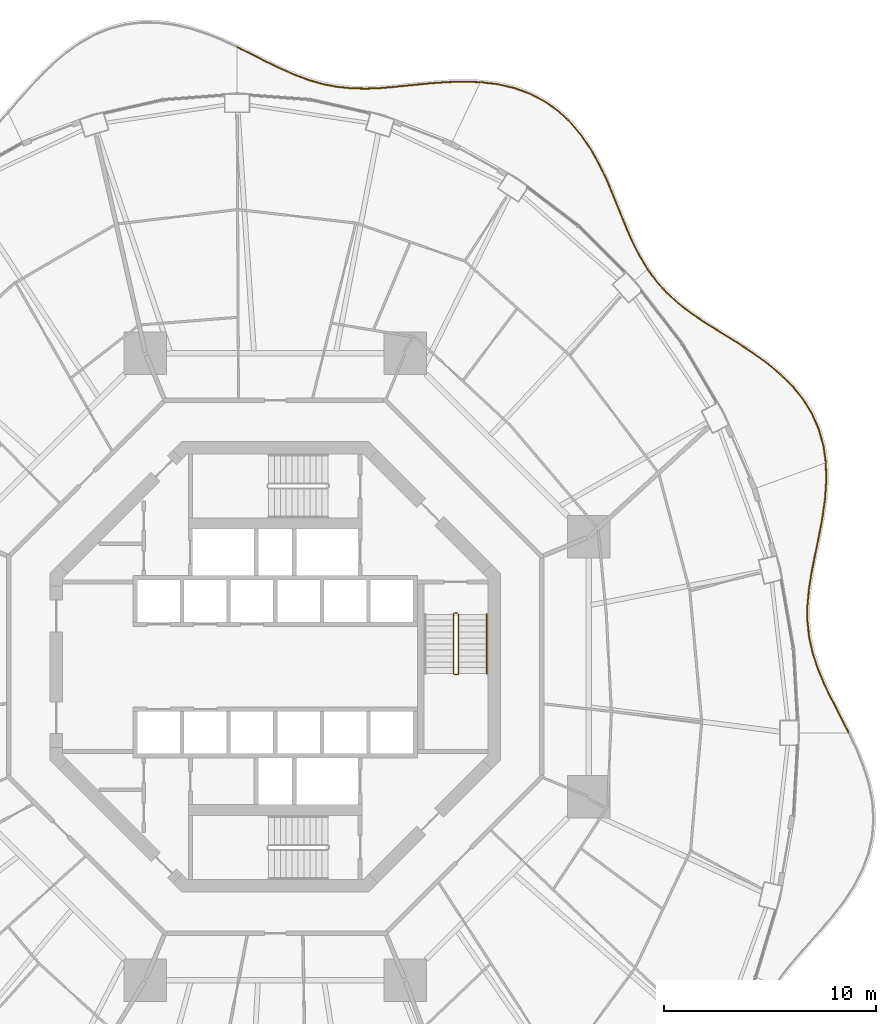
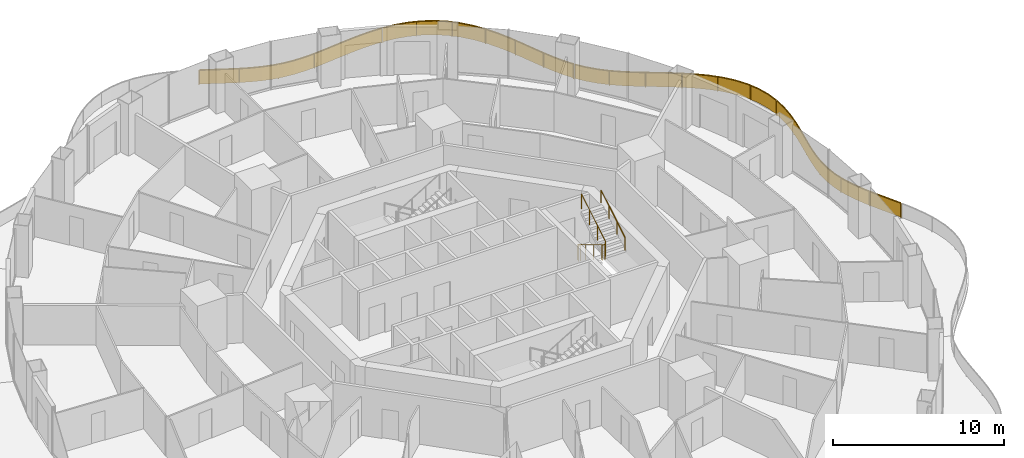
# One storey, part 20 of 20: 6 railings.
"""IFC4 building model written with IfcOpenShell, lengths in metres."""

import ifcopenshell
import ifcopenshell.guid

model = None  # the IFC model being written
_history = None  # IfcOwnerHistory: only IFC2X3 demands one
_inside = {}  # id of a spatial element -> (the spatial element, [elements in it])
_under = {}  # id of a project, library or spatial element -> (it, [spatial elements below it])
_declared = {}  # id of a project -> (the project, [libraries it declares])
_typed = {}  # id of a type object -> (the type object, [elements of that type])
_made_of = {}  # id of a material, layer set ... -> (it, [elements and type objects made of it])


def new_model(schema):
    """Start an empty IFC model of exactly this schema.

    Asked for "IFC4X3", IfcOpenShell would pick the latest addendum, in which some entities
    have other attributes; the version numbers below select the first issue.
    IFC2X3 requires an IfcOwnerHistory on every rooted entity: one is made here for all.
    """
    global model, _history
    if schema == "IFC4X3":
        model = ifcopenshell.file(schema_version=(4, 3, 0, 0))
    else:
        model = ifcopenshell.file(schema=schema)
    _inside.clear()
    _under.clear()
    _declared.clear()
    _typed.clear()
    _made_of.clear()
    _history = None
    if model.schema == "IFC2X3":
        org = make("IfcOrganization", Name="unknown")
        user = make(
            "IfcPersonAndOrganization",
            ThePerson=make("IfcPerson", FamilyName="unknown"),
            TheOrganization=org,
        )
        app = make(
            "IfcApplication",
            ApplicationDeveloper=org,
            Version="unknown",
            ApplicationFullName="unknown",
            ApplicationIdentifier="unknown",
        )
        _history = make(
            "IfcOwnerHistory",
            OwningUser=user,
            OwningApplication=app,
            ChangeAction="ADDED",
            CreationDate=0,
        )
    return model


def make(cls, **values):
    """One entity of the class cls with the attributes given. An attribute that is None is left unset."""
    return model.create_entity(
        cls, **{name: value for name, value in values.items() if value is not None}
    )


def rooted(cls, **values):
    """An entity with a GlobalId (a new one), such as an element, a storey or a relation."""
    return make(cls, GlobalId=ifcopenshell.guid.new(), OwnerHistory=_history, **values)


def si_unit(unit_type, name, prefix=None):
    """IfcSIUnit, for example si_unit("LENGTHUNIT", "METRE", prefix="MILLI")."""
    return make("IfcSIUnit", UnitType=unit_type, Prefix=prefix, Name=name)


def assignment(units):
    """IfcUnitAssignment: the units of a project."""
    return None if units is None else make("IfcUnitAssignment", Units=units)


def point(xyz):
    """IfcCartesianPoint."""
    return None if xyz is None else make("IfcCartesianPoint", Coordinates=xyz)


def direction(xyz):
    """IfcDirection."""
    return None if xyz is None else make("IfcDirection", DirectionRatios=xyz)


def frame(location, z_axis=None, x_axis=None):
    """IfcAxis2Placement3D, a coordinate frame: its origin and axes. An axis left out is left unset."""
    return make(
        "IfcAxis2Placement3D",
        Location=point(location),
        Axis=direction(z_axis),
        RefDirection=direction(x_axis),
    )


def frame_2d(location, x_axis=None):
    """IfcAxis2Placement2D, a coordinate frame in the plane: its origin and x axis."""
    return make(
        "IfcAxis2Placement2D", Location=point(location), RefDirection=direction(x_axis)
    )


def origin():
    """The frame at (0, 0, 0) with its axes left unset."""
    return frame((0.0, 0.0, 0.0))


def origin_2d():
    """The frame at (0, 0) in the plane with its x axis left unset."""
    return frame_2d((0.0, 0.0))


def place(relative_to, where):
    """IfcLocalPlacement: puts the frame where relative to a parent placement (None: the world)."""
    return make(
        "IfcLocalPlacement", PlacementRelTo=relative_to, RelativePlacement=where
    )


def context(
    kind, dimensions, precision=None, world=None, true_north=None, identifier=None
):
    """IfcGeometricRepresentationContext, for example the 3D "Model" context."""
    return make(
        "IfcGeometricRepresentationContext",
        ContextIdentifier=identifier,
        ContextType=kind,
        CoordinateSpaceDimension=dimensions,
        Precision=precision,
        WorldCoordinateSystem=world,
        TrueNorth=true_north,
    )


def subcontext(parent, identifier, kind, view, scale=None):
    """IfcGeometricRepresentationSubContext, for example "Body" below "Model"."""
    return make(
        "IfcGeometricRepresentationSubContext",
        ContextIdentifier=identifier,
        ContextType=kind,
        ParentContext=parent,
        TargetScale=scale,
        TargetView=view,
    )


def project(units=None, contexts=None):
    """IfcProject with its units and contexts."""
    return rooted(
        "IfcProject",
        Name="project",
        RepresentationContexts=contexts,
        UnitsInContext=assignment(units),
    )


def spatial(cls, under=None, at=None, **own):
    """A site, building, storey or space (cls), placed at a placement, below another one or the project."""
    s = rooted(cls, ObjectPlacement=at, **own)
    if under is not None:
        _under.setdefault(under.id(), (under, []))[1].append(s)
    return s


def polyline(points):
    """IfcPolyline through the points."""
    return make("IfcPolyline", Points=[point(p) for p in points])


def profile(cls, at=None, kind="AREA", **sizes):
    """A parametric profile (cls). Its sizes go by their IFC names, for example OverallWidth=200.0."""
    return make(cls, ProfileType=kind, Position=at, **sizes)


def rectangle(**sizes):
    """IfcRectangleProfileDef."""
    return profile("IfcRectangleProfileDef", **sizes)


def circle(**sizes):
    """IfcCircleProfileDef."""
    return profile("IfcCircleProfileDef", **sizes)


def outline(outer, holes=None, kind="AREA"):
    """IfcArbitraryClosedProfileDef: a profile drawn as a closed curve; with holes, ...WithVoids."""
    if holes is None:
        return make("IfcArbitraryClosedProfileDef", ProfileType=kind, OuterCurve=outer)
    return make(
        "IfcArbitraryProfileDefWithVoids",
        ProfileType=kind,
        OuterCurve=outer,
        InnerCurves=holes,
    )


def extrude(swept, where, along, depth):
    """IfcExtrudedAreaSolid: the profile swept, set in the frame where, extruded along a direction by depth."""
    return make(
        "IfcExtrudedAreaSolid",
        SweptArea=swept,
        Position=where,
        ExtrudedDirection=direction(along),
        Depth=depth,
    )


def shape(context_of_items, identifier, shape_type, items):
    """IfcShapeRepresentation: the items that make up one representation, for example the "Body"."""
    return make(
        "IfcShapeRepresentation",
        ContextOfItems=context_of_items,
        RepresentationIdentifier=identifier,
        RepresentationType=shape_type,
        Items=items,
    )


def material(Name=None, Category=None):
    """IfcMaterial."""
    return make("IfcMaterial", Name=Name, Category=Category)


def made_of(thing, what):
    """Note that an element or type object is made of a material, layer set ...; save() writes the relation."""
    if what is not None:
        _made_of.setdefault(what.id(), (what, []))[1].append(thing)
    return thing


def type_object(cls, material=None, **own):
    """A type object (cls), such as IfcWallType, which elements share."""
    return made_of(rooted(cls, **own), material)


def element(
    cls,
    number,
    at=None,
    inside=None,
    cuts=None,
    type_object=None,
    material=None,
    context=None,
    identifier="Body",
    shape_type=None,
    held_by="IfcProductDefinitionShape",
    body=None,
    shapes=None,
    **own,
):
    """One element of the class cls, such as IfcWall. Its Tag is "e" and its number.

    at: its placement. inside: the storey or other place that contains it. cuts: it is an
    opening in that element (IfcRelVoidsElement). A single representation is given by context,
    identifier, shape_type and body (its items); several are given by shapes. held_by: the class
    of the entity that holds the representations. save() writes the other relations.
    """
    e = rooted(cls, Tag="e%d" % number, ObjectPlacement=at, **own)
    if body is not None:
        shapes = [shape(context, identifier, shape_type, body)]
    if shapes is not None:
        e.Representation = make(held_by, Representations=shapes)
    if inside is not None:
        _inside.setdefault(inside.id(), (inside, []))[1].append(e)
    if cuts is not None:
        rooted(
            "IfcRelVoidsElement", RelatingBuildingElement=cuts, RelatedOpeningElement=e
        )
    if type_object is not None:
        _typed.setdefault(type_object.id(), (type_object, []))[1].append(e)
    return made_of(e, material)


def aggregate(whole, parts):
    """IfcRelAggregates: a whole, such as a stair, and the parts it consists of."""
    return rooted("IfcRelAggregates", RelatingObject=whole, RelatedObjects=parts)


def save(model, path):
    """Write the relations noted so far, then the file.

    IfcRelAggregates (storeys below a building ...), IfcRelContainedInSpatialStructure (elements
    in a storey), IfcRelDefinesByType, IfcRelAssociatesMaterial and IfcRelDeclares: one each for
    every whole, place, type object, material and project.
    """
    for whole, parts in _under.values():
        aggregate(whole, parts)
    for where, things in _inside.values():
        rooted(
            "IfcRelContainedInSpatialStructure",
            RelatedElements=things,
            RelatingStructure=where,
        )
    for kind, things in _typed.values():
        rooted("IfcRelDefinesByType", RelatedObjects=things, RelatingType=kind)
    for what, things in _made_of.values():
        rooted("IfcRelAssociatesMaterial", RelatedObjects=things, RelatingMaterial=what)
    for by, libraries in _declared.values():
        rooted("IfcRelDeclares", RelatingContext=by, RelatedDefinitions=libraries)
    model.write(path)


model = new_model("IFC4")

# Units and contexts
model_context = context("Model", 3, precision=1e-05, world=origin(), true_north=direction((0.0, 1.0)))
body_context = subcontext(model_context, "Body", "Model", "MODEL_VIEW")
ifc_project = project(units=[si_unit("LENGTHUNIT", "METRE"), si_unit("AREAUNIT", "SQUARE_METRE"), si_unit("VOLUMEUNIT", "CUBIC_METRE"), si_unit("PLANEANGLEUNIT", "RADIAN"), si_unit("MASSUNIT", "GRAM", prefix="KILO")], contexts=[model_context])

# Site, building, storey
site_placement = place(None, origin())
site = spatial("IfcSite", under=ifc_project, at=site_placement, CompositionType="ELEMENT")
building_placement = place(site_placement, origin())
building = spatial("IfcBuilding", under=site, at=building_placement, Name="Nagisa Residences", CompositionType="ELEMENT")
storey_placement = place(building_placement, frame((0.0, 0.0, 130.699951171875)))
storey = spatial("IfcBuildingStorey", under=building, at=storey_placement, Name="L32", CompositionType="ELEMENT", Elevation=130.699951171875)

# Railings
ifc_material_1 = material(Name="Stainless steel 316", Category="steel")
railing_type_1 = type_object("IfcRailingType", Name="BALCONY GUARD 1100", PredefinedType="BALUSTRADE", material=ifc_material_1)
railing_1_placement = place(storey_placement, frame((27.025390625, -3.083740234375, 0.0)))
element("IfcRailing", 1, at=railing_1_placement, inside=storey, type_object=railing_type_1, Name="guard:L32:bal00-0", PredefinedType="BALUSTRADE", context=body_context, shape_type="SweptSolid", body=[
    extrude(outline(polyline([(-0.399169921875, 0.728271484375), (-0.022216796875, -0.011474609375), (0.022216796875, 0.011474609375), (-0.354736328125, 0.751220703125), (-0.745849609375, 1.515625), (-1.107421875, 2.265625), (-1.417724609375, 3.006103515625), (-1.66015625, 3.74267578125), (-1.822265625, 4.46826171875), (-1.90283203125, 5.217041015625), (-1.90283203125, 5.981689453125), (-1.831298828125, 6.766845703125), (-1.7041015625, 7.5751953125), (-1.537841796875, 8.392578125), (-1.362060546875, 9.243896484375), (-1.2001953125, 10.110107421875), (-1.076904296875, 10.983642578125), (-1.016357421875, 11.854736328125), (-1.035888671875, 12.66552734375), (-1.085693359375, 12.66455078125), (-1.066650390625, 11.855712890625), (-1.126708984375, 10.989013671875), (-1.24951171875, 10.118408203125), (-1.411376953125, 9.253662109375), (-1.586669921875, 8.40283203125), (-1.75341796875, 7.583984375), (-1.881103515625, 6.773193359375), (-1.95263671875, 5.984130859375), (-1.95263671875, 5.214599609375), (-1.87158203125, 4.4599609375), (-1.70849609375, 3.7294921875), (-1.464599609375, 2.988525390625), (-1.15283203125, 2.2451171875), (-0.790771484375, 1.4931640625), (-0.399169921875, 0.728271484375)])), frame((0.0, 0.0, 1.050048828125)), (0.0, 0.0, 1.0), 0.050048828125),
    extrude(outline(polyline([(-0.38330078125, 0.736572265625), (-0.00634765625, -0.003173828125), (0.00634765625, 0.003173828125), (-0.37060546875, 0.742919921875), (-0.761962890625, 1.507568359375), (-1.123779296875, 2.25830078125), (-1.4345703125, 2.999755859375), (-1.677490234375, 3.738037109375), (-1.840087890625, 4.46533203125), (-1.920654296875, 5.21630859375), (-1.920654296875, 5.982666015625), (-1.849365234375, 6.76904296875), (-1.721923828125, 7.578369140625), (-1.555419921875, 8.396240234375), (-1.3798828125, 9.247314453125), (-1.218017578125, 10.113037109375), (-1.0947265625, 10.985595703125), (-1.034423828125, 11.85498046875), (-1.0537109375, 12.665283203125), (-1.06787109375, 12.664794921875), (-1.048583984375, 11.85546875), (-1.10888671875, 10.987060546875), (-1.231689453125, 10.115478515625), (-1.3935546875, 9.250244140625), (-1.569091796875, 8.399169921875), (-1.735595703125, 7.580810546875), (-1.863037109375, 6.77099609375), (-1.934814453125, 5.983154296875), (-1.934814453125, 5.21533203125), (-1.853759765625, 4.462890625), (-1.691162109375, 3.734130859375), (-1.44775390625, 2.994873046875), (-1.136474609375, 2.25244140625), (-0.774658203125, 1.501220703125), (-0.38330078125, 0.736572265625)])), frame((0.0, 0.0, 0.06005859375)), (0.0, 0.0, 1.0), 0.989990234375),
    extrude(rectangle(XDim=0.0400390625, YDim=0.0400390625, at=origin_2d()), origin(), (0.0, 0.0, 1.0), 1.050048828125),
    extrude(rectangle(XDim=0.0400390625, YDim=0.0400390625, at=origin_2d()), frame((-0.98486328125, 1.9541015625, 0.0)), (0.0, 0.0, 1.0), 1.050048828125),
    extrude(rectangle(XDim=0.0400390625, YDim=0.0400390625, at=origin_2d()), frame((-1.74365234375, 4.001220703125, 0.0)), (0.0, 0.0, 1.0), 1.050048828125),
    extrude(rectangle(XDim=0.0400390625, YDim=0.0400390625, at=origin_2d()), frame((-1.910400390625, 6.173095703125, 0.0)), (0.0, 0.0, 1.0), 1.050048828125),
    extrude(rectangle(XDim=0.0400390625, YDim=0.0400390625, at=origin_2d()), frame((-1.575439453125, 8.33349609375, 0.0)), (0.0, 0.0, 1.0), 1.050048828125),
    extrude(rectangle(XDim=0.0400390625, YDim=0.0400390625, at=origin_2d()), frame((-1.172607421875, 10.48388671875, 0.0)), (0.0, 0.0, 1.0), 1.050048828125),
    extrude(rectangle(XDim=0.0400390625, YDim=0.0400390625, at=origin_2d()), frame((-1.060791015625, 12.6650390625, 0.0)), (0.0, 0.0, 1.0), 1.050048828125),
])
railing_2_placement = place(storey_placement, frame((25.958740234375, 9.658447265625, 0.0)))
element("IfcRailing", 2, at=railing_2_placement, inside=storey, type_object=railing_type_1, Name="guard:L32:bal01-0", PredefinedType="BALUSTRADE", context=body_context, shape_type="SweptSolid", body=[
    extrude(outline(polyline([(-0.132080078125, 0.75537109375), (-0.024658203125, -0.00341796875), (0.024658203125, 0.00341796875), (-0.082763671875, 0.765625), (-0.2998046875, 1.541748046875), (-0.621337890625, 2.27783203125), (-1.0439453125, 2.966552734375), (-1.5595703125, 3.605224609375), (-2.14794921875, 4.18017578125), (-2.804931640625, 4.720458984375), (-3.50341796875, 5.219970703125), (-4.222900390625, 5.6875), (-4.941650390625, 6.135009765625), (-5.631591796875, 6.562744140625), (-6.293212890625, 7.010009765625), (-6.9052734375, 7.477783203125), (-7.460205078125, 7.97802734375), (-7.954345703125, 8.5205078125), (-8.365966796875, 9.079345703125), (-8.406494140625, 9.049560546875), (-7.992919921875, 8.48876953125), (-7.495361328125, 7.9423828125), (-6.9375, 7.439208984375), (-6.322509765625, 6.969482421875), (-5.658935546875, 6.520751953125), (-4.968017578125, 6.092529296875), (-4.249755859375, 5.6455078125), (-3.53173828125, 5.178466796875), (-2.835205078125, 4.680908203125), (-2.181640625, 4.14306640625), (-1.5966796875, 3.571533203125), (-1.0849609375, 2.937744140625), (-0.665771484375, 2.25439453125), (-0.34716796875, 1.525146484375), (-0.132080078125, 0.75537109375)])), frame((0.0, 0.0, 1.050048828125)), (0.0, 0.0, 1.0), 0.050048828125),
    extrude(outline(polyline([(-0.1142578125, 0.759033203125), (-0.0068359375, -0.0009765625), (0.0068359375, 0.0009765625), (-0.1005859375, 0.761962890625), (-0.31689453125, 1.535888671875), (-0.637451171875, 2.269287109375), (-1.058837890625, 2.956298828125), (-1.572998046875, 3.593017578125), (-2.16015625, 4.166748046875), (-2.81591796875, 4.706298828125), (-3.513671875, 5.205078125), (-4.232666015625, 5.67236328125), (-4.951171875, 6.11962890625), (-5.641357421875, 6.547607421875), (-6.3037109375, 6.995361328125), (-6.9169921875, 7.4638671875), (-7.472900390625, 7.965087890625), (-7.96826171875, 8.509033203125), (-8.380615234375, 9.068603515625), (-8.391845703125, 9.060302734375), (-7.97900390625, 8.500244140625), (-7.482666015625, 7.955322265625), (-6.92578125, 7.453125), (-6.31201171875, 6.984130859375), (-5.649169921875, 6.535888671875), (-4.95849609375, 6.10791015625), (-4.239990234375, 5.66064453125), (-3.521484375, 5.193359375), (-2.82421875, 4.695068359375), (-2.16943359375, 4.156494140625), (-1.583251953125, 3.583740234375), (-1.070068359375, 2.947998046875), (-0.649658203125, 2.262939453125), (-0.330078125, 1.531005859375), (-0.1142578125, 0.759033203125)])), frame((0.0, 0.0, 0.06005859375)), (0.0, 0.0, 1.0), 0.989990234375),
    extrude(rectangle(XDim=0.0400390625, YDim=0.0400390625, at=origin_2d()), origin(), (0.0, 0.0, 1.0), 1.050048828125),
    extrude(rectangle(XDim=0.0400390625, YDim=0.0400390625, at=origin_2d()), frame((-0.5478515625, 2.047119140625, 0.0)), (0.0, 0.0, 1.0), 1.050048828125),
    extrude(rectangle(XDim=0.0400390625, YDim=0.0400390625, at=origin_2d()), frame((-1.771240234375, 3.77685546875, 0.0)), (0.0, 0.0, 1.0), 1.050048828125),
    extrude(rectangle(XDim=0.0400390625, YDim=0.0400390625, at=origin_2d()), frame((-3.416015625, 5.12646484375, 0.0)), (0.0, 0.0, 1.0), 1.050048828125),
    extrude(rectangle(XDim=0.0400390625, YDim=0.0400390625, at=origin_2d()), frame((-5.212158203125, 6.273193359375, 0.0)), (0.0, 0.0, 1.0), 1.050048828125),
    extrude(rectangle(XDim=0.0400390625, YDim=0.0400390625, at=origin_2d()), frame((-6.958251953125, 7.49169921875, 0.0)), (0.0, 0.0, 1.0), 1.050048828125),
    extrude(rectangle(XDim=0.0400390625, YDim=0.0400390625, at=origin_2d()), frame((-8.38623046875, 9.064453125, 0.0)), (0.0, 0.0, 1.0), 1.050048828125),
])
railing_3_placement = place(storey_placement, frame((17.534912109375, 18.781494140625, 0.0)))
element("IfcRailing", 3, at=railing_3_placement, inside=storey, type_object=railing_type_1, Name="guard:L32:bal02-0", PredefinedType="BALUSTRADE", context=body_context, shape_type="SweptSolid", body=[
    extrude(outline(polyline([(-0.368896484375, 0.56591796875), (-0.021484375, -0.012939453125), (0.021484375, 0.012939453125), (-0.324951171875, 0.59033203125), (-0.6572265625, 1.24853515625), (-0.96533203125, 1.94775390625), (-1.263427734375, 2.67919921875), (-1.566650390625, 3.4306640625), (-1.877685546875, 4.177001953125), (-2.235107421875, 4.923095703125), (-2.63818359375, 5.64111328125), (-3.095947265625, 6.31396484375), (-3.614501953125, 6.926025390625), (-4.18359375, 7.455810546875), (-4.82421875, 7.90771484375), (-5.523193359375, 8.27001953125), (-6.270751953125, 8.539794921875), (-7.056884765625, 8.7197265625), (-7.8232421875, 8.8095703125), (-7.8291015625, 8.759765625), (-7.065185546875, 8.67041015625), (-6.284912109375, 8.491455078125), (-5.543212890625, 8.22412109375), (-4.85009765625, 7.86474609375), (-4.21533203125, 7.416748046875), (-3.650634765625, 6.891357421875), (-3.135986328125, 6.28369140625), (-2.6806640625, 5.61474609375), (-2.279541015625, 4.900146484375), (-1.923583984375, 4.156494140625), (-1.613037109375, 3.41162109375), (-1.309814453125, 2.66015625), (-1.01123046875, 1.92822265625), (-0.70263671875, 1.22705078125), (-0.368896484375, 0.56591796875)])), frame((0.0, 0.0, 1.050048828125)), (0.0, 0.0, 1.0), 0.050048828125),
    extrude(outline(polyline([(-0.35302734375, 0.57470703125), (-0.006103515625, -0.003662109375), (0.006103515625, 0.003662109375), (-0.3408203125, 0.58154296875), (-0.673583984375, 1.24072265625), (-0.98193359375, 1.940673828125), (-1.280029296875, 2.67236328125), (-1.583251953125, 3.423828125), (-1.894287109375, 4.169677734375), (-2.251220703125, 4.914794921875), (-2.653564453125, 5.631591796875), (-3.1103515625, 6.302978515625), (-3.62744140625, 6.91357421875), (-4.195068359375, 7.441650390625), (-4.83349609375, 7.892333984375), (-5.5302734375, 8.25341796875), (-6.27587890625, 8.5224609375), (-7.059814453125, 8.701904296875), (-7.825439453125, 8.79150390625), (-7.826904296875, 8.77783203125), (-7.062255859375, 8.688232421875), (-6.27978515625, 8.5087890625), (-5.5361328125, 8.24072265625), (-4.8408203125, 7.880126953125), (-4.203857421875, 7.430908203125), (-3.6376953125, 6.90380859375), (-3.12158203125, 6.294677734375), (-2.665283203125, 5.624267578125), (-2.263427734375, 4.908447265625), (-1.906982421875, 4.163818359375), (-1.596435546875, 3.41845703125), (-1.293212890625, 2.6669921875), (-0.99462890625, 1.935302734375), (-0.686279296875, 1.23486328125), (-0.35302734375, 0.57470703125)])), frame((0.0, 0.0, 0.06005859375)), (0.0, 0.0, 1.0), 0.989990234375),
    extrude(rectangle(XDim=0.0400390625, YDim=0.0400390625, at=origin_2d()), origin(), (0.0, 0.0, 1.0), 1.050048828125),
    extrude(rectangle(XDim=0.0400390625, YDim=0.0400390625, at=origin_2d()), frame((-0.953369140625, 1.858642578125, 0.0)), (0.0, 0.0, 1.0), 1.050048828125),
    extrude(rectangle(XDim=0.0400390625, YDim=0.0400390625, at=origin_2d()), frame((-1.745361328125, 3.794189453125, 0.0)), (0.0, 0.0, 1.0), 1.050048828125),
    extrude(rectangle(XDim=0.0400390625, YDim=0.0400390625, at=origin_2d()), frame((-2.682373046875, 5.661376953125, 0.0)), (0.0, 0.0, 1.0), 1.050048828125),
    extrude(rectangle(XDim=0.0400390625, YDim=0.0400390625, at=origin_2d()), frame((-4.01416015625, 7.263916015625, 0.0)), (0.0, 0.0, 1.0), 1.050048828125),
    extrude(rectangle(XDim=0.0400390625, YDim=0.0400390625, at=origin_2d()), frame((-5.791015625, 8.340087890625, 0.0)), (0.0, 0.0, 1.0), 1.050048828125),
    extrude(rectangle(XDim=0.0400390625, YDim=0.0400390625, at=origin_2d()), frame((-7.826171875, 8.78466796875, 0.0)), (0.0, 0.0, 1.0), 1.050048828125),
])
railing_4_placement = place(storey_placement, frame((9.631591796875, 27.5712890625, 0.0)))
element("IfcRailing", 4, at=railing_4_placement, inside=storey, type_object=railing_type_1, Name="guard:L32:bal03-0", PredefinedType="BALUSTRADE", context=body_context, shape_type="SweptSolid", body=[
    extrude(outline(polyline([(-0.750244140625, -0.00146484375), (-0.000732421875, -0.02490234375), (0.000732421875, 0.02490234375), (-0.750244140625, 0.048828125), (-1.552978515625, 0.025146484375), (-2.350830078125, -0.033447265625), (-3.13525390625, -0.110107421875), (-3.9013671875, -0.187255859375), (-4.6279296875, -0.252685546875), (-5.347900390625, -0.28076171875), (-6.045654296875, -0.264892578125), (-6.724609375, -0.195068359375), (-7.39013671875, -0.066650390625), (-8.03076171875, 0.118408203125), (-8.6884765625, 0.3623046875), (-9.35205078125, 0.65380859375), (-10.027587890625, 0.981201171875), (-10.718994140625, 1.329345703125), (-11.386474609375, 1.662353515625), (-11.408935546875, 1.617431640625), (-10.741455078125, 1.284423828125), (-10.049560546875, 0.936279296875), (-9.373046875, 0.6083984375), (-8.70703125, 0.31591796875), (-8.04638671875, 0.071044921875), (-7.40185546875, -0.115478515625), (-6.73193359375, -0.244873046875), (-6.048583984375, -0.314697265625), (-5.347412109375, -0.3310546875), (-4.62451171875, -0.302490234375), (-3.896484375, -0.237060546875), (-3.13037109375, -0.159912109375), (-2.346435546875, -0.083251953125), (-1.550537109375, -0.024658203125), (-0.750244140625, -0.00146484375)])), frame((0.0, 0.0, 1.050048828125)), (0.0, 0.0, 1.0), 0.050048828125),
    extrude(outline(polyline([(-0.750244140625, 0.0166015625), (-0.000244140625, -0.007080078125), (0.000244140625, 0.007080078125), (-0.750244140625, 0.03076171875), (-1.552001953125, 0.00732421875), (-2.34912109375, -0.05126953125), (-3.133544921875, -0.1279296875), (-3.899658203125, -0.205078125), (-4.626708984375, -0.2705078125), (-5.34765625, -0.298828125), (-6.046630859375, -0.28271484375), (-6.727294921875, -0.213134765625), (-7.394287109375, -0.084228515625), (-8.036376953125, 0.101318359375), (-8.695068359375, 0.345703125), (-9.359619140625, 0.637451171875), (-10.035400390625, 0.965087890625), (-10.72705078125, 1.313232421875), (-11.39453125, 1.646240234375), (-11.40087890625, 1.633544921875), (-10.7333984375, 1.300537109375), (-10.041748046875, 0.952392578125), (-9.365478515625, 0.624755859375), (-8.700439453125, 0.33251953125), (-8.040771484375, 0.088134765625), (-7.397705078125, -0.097900390625), (-6.729248046875, -0.226806640625), (-6.047607421875, -0.296875), (-5.34765625, -0.31298828125), (-4.625732421875, -0.28466796875), (-3.898193359375, -0.21923828125), (-3.132080078125, -0.14208984375), (-2.34814453125, -0.0654296875), (-1.551513671875, -0.0068359375), (-0.750244140625, 0.0166015625)])), frame((0.0, 0.0, 0.06005859375)), (0.0, 0.0, 1.0), 0.989990234375),
    extrude(rectangle(XDim=0.0400390625, YDim=0.0400390625, at=origin_2d()), origin(), (0.0, 0.0, 1.0), 1.050048828125),
    extrude(rectangle(XDim=0.0400390625, YDim=0.0400390625, at=origin_2d()), frame((-2.356201171875, -0.05908203125, 0.0)), (0.0, 0.0, 1.0), 1.050048828125),
    extrude(rectangle(XDim=0.0400390625, YDim=0.0400390625, at=origin_2d()), frame((-4.704833984375, -0.28076171875, 0.0)), (0.0, 0.0, 1.0), 1.050048828125),
    extrude(rectangle(XDim=0.0400390625, YDim=0.0400390625, at=origin_2d()), frame((-7.0537109375, -0.1572265625, 0.0)), (0.0, 0.0, 1.0), 1.050048828125),
    extrude(rectangle(XDim=0.0400390625, YDim=0.0400390625, at=origin_2d()), frame((-9.2822265625, 0.595947265625, 0.0)), (0.0, 0.0, 1.0), 1.050048828125),
    extrude(rectangle(XDim=0.0400390625, YDim=0.0400390625, at=origin_2d()), frame((-11.397705078125, 1.639892578125, 0.0)), (0.0, 0.0, 1.0), 1.050048828125),
])
ifc_material_2 = material(Name="Stainless steel", Category="steel")
railing_type_2 = type_object("IfcRailingType", Name="Stair guard 1100", PredefinedType="GUARDRAIL", material=ifc_material_2)
railing_5_placement = place(storey_placement, frame((8.599609375, 2.52490234375, 0.0)))
element("IfcRailing", 5, at=railing_5_placement, inside=storey, type_object=railing_type_2, Name="L32 ST-E stair guard 1", PredefinedType="GUARDRAIL", context=body_context, shape_type="SweptSolid", body=[
    extrude(circle(Radius=0.02392578125, at=origin_2d()), frame((0.0, 0.0, 1.076171875), z_axis=(-1.0, 0.0, 0.0), x_axis=(0.0, -1.0, 0.0)), (0.0, 0.0, 1.0), 0.14990234375),
    extrude(circle(Radius=0.02392578125, at=origin_2d()), frame((-0.14990234375, 0.0, 1.076171875), z_axis=(-0.27434429532, -0.273006030465, 0.922064485248), x_axis=(0.705375805398, -0.708833529934, 0.0)), (0.0, 0.0, 1.0), 0.182373046875),
    extrude(circle(Radius=0.02392578125, at=origin_2d()), frame((-0.199951171875, -0.0498046875, 1.244140625), z_axis=(0.0, -0.857242210791, 0.514913383045), x_axis=(1.0, 0.0, 0.0)), (0.0, 0.0, 1.0), 3.266357421875),
    extrude(circle(Radius=0.02392578125, at=origin_2d()), frame((-0.199951171875, -2.849853515625, 2.92626953125), z_axis=(0.707106781187, -0.707106781187, 0.0), x_axis=(0.707106781187, 0.707106781187, 0.0)), (0.0, 0.0, 1.0), 0.07080078125),
    extrude(circle(Radius=0.02392578125, at=origin_2d()), frame((-0.14990234375, -2.89990234375, 2.92626953125), z_axis=(1.0, 0.0, 0.0), x_axis=(0.0, 1.0, 0.0)), (0.0, 0.0, 1.0), 0.14990234375),
    extrude(circle(Radius=0.02392578125, at=origin_2d()), frame((0.0, -2.89990234375, 2.92626953125), z_axis=(0.274243871929, 0.274243871929, 0.92172696468), x_axis=(-0.707106781187, 0.707106781187, 0.0)), (0.0, 0.0, 1.0), 0.1826171875),
    extrude(circle(Radius=0.02392578125, at=origin_2d()), frame((0.050048828125, -2.849853515625, 3.09423828125), z_axis=(0.0, 0.857275202839, 0.514858452973), x_axis=(-1.0, 0.0, 0.0)), (0.0, 0.0, 1.0), 3.26611328125),
    extrude(circle(Radius=0.02099609375, at=origin_2d()), origin(), (0.0, 0.0, 1.0), 1.052001953125),
    extrude(circle(Radius=0.02099609375, at=origin_2d()), frame((-0.14990234375, 0.0, 0.0)), (0.0, 0.0, 1.0), 1.052001953125),
    extrude(circle(Radius=0.02099609375, at=origin_2d()), frame((-0.199951171875, -0.0498046875, 0.168212890625)), (0.0, 0.0, 1.0), 1.052001953125),
    extrude(circle(Radius=0.02099609375, at=origin_2d()), frame((-0.199951171875, -0.983154296875, 0.728759765625)), (0.0, 0.0, 1.0), 1.052001953125),
    extrude(circle(Radius=0.02099609375, at=origin_2d()), frame((-0.199951171875, -1.91650390625, 1.28955078125)), (0.0, 0.0, 1.0), 1.052001953125),
    extrude(circle(Radius=0.02099609375, at=origin_2d()), frame((-0.199951171875, -2.849853515625, 1.85009765625)), (0.0, 0.0, 1.0), 1.052001953125),
    extrude(circle(Radius=0.02099609375, at=origin_2d()), frame((-0.14990234375, -2.89990234375, 1.85009765625)), (0.0, 0.0, 1.0), 1.052001953125),
    extrude(circle(Radius=0.02099609375, at=origin_2d()), frame((0.0, -2.89990234375, 1.85009765625)), (0.0, 0.0, 1.0), 1.052001953125),
    extrude(circle(Radius=0.02099609375, at=origin_2d()), frame((0.050048828125, -2.849853515625, 2.018310546875)), (0.0, 0.0, 1.0), 1.052001953125),
    extrude(circle(Radius=0.02099609375, at=origin_2d()), frame((0.050048828125, -1.91650390625, 2.578857421875)), (0.0, 0.0, 1.0), 1.052001953125),
    extrude(circle(Radius=0.02099609375, at=origin_2d()), frame((0.050048828125, -0.983154296875, 3.139404296875)), (0.0, 0.0, 1.0), 1.052001953125),
    extrude(circle(Radius=0.02099609375, at=origin_2d()), frame((0.050048828125, -0.0498046875, 3.699951171875)), (0.0, 0.0, 1.0), 1.052001953125),
])
ifc_material_3 = material(Name="Stainless steel", Category="steel")
railing_type_3 = type_object("IfcRailingType", Name="Stair handrail 900", PredefinedType="HANDRAIL", material=ifc_material_3)
railing_6_placement = place(storey_placement, frame((9.974609375, -0.324951171875, 2.018310546875)))
element("IfcRailing", 6, at=railing_6_placement, inside=storey, type_object=railing_type_3, Name="L32 ST-E stair handrail 2", PredefinedType="HANDRAIL", context=body_context, shape_type="SweptSolid", body=[
    extrude(circle(Radius=0.02392578125, at=origin_2d()), frame((0.0, 0.0, 0.8759765625), z_axis=(0.0, 0.857275202839, 0.514858452973), x_axis=(-1.0, 0.0, 0.0)), (0.0, 0.0, 1.0), 3.26611328125),
    extrude(circle(Radius=0.02099609375, at=origin_2d()), origin(), (0.0, 0.0, 1.0), 0.851806640625),
    extrude(circle(Radius=0.02099609375, at=origin_2d()), frame((0.0, 0.933349609375, 0.560546875)), (0.0, 0.0, 1.0), 0.851806640625),
    extrude(circle(Radius=0.02099609375, at=origin_2d()), frame((0.0, 1.86669921875, 1.12109375)), (0.0, 0.0, 1.0), 0.851806640625),
    extrude(circle(Radius=0.02099609375, at=origin_2d()), frame((0.0, 2.800048828125, 1.681640625)), (0.0, 0.0, 1.0), 0.851806640625),
])

save(model, "model.ifc")
